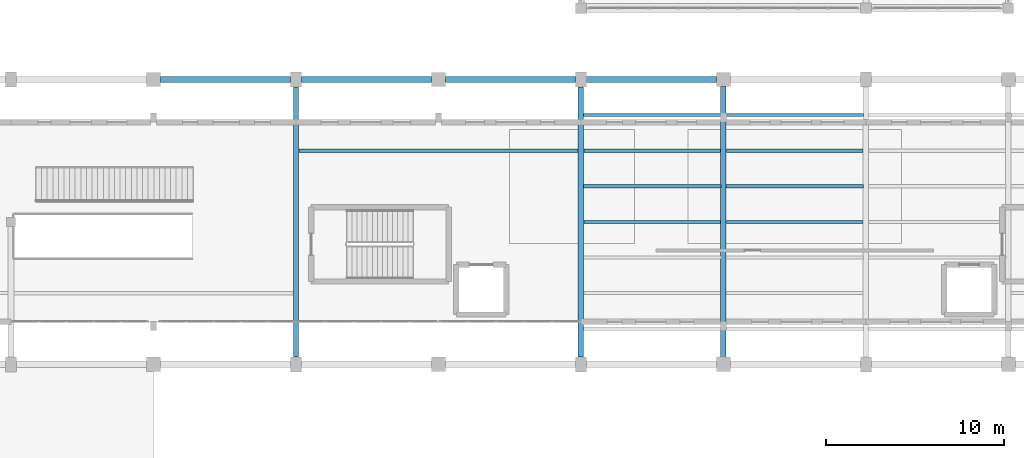
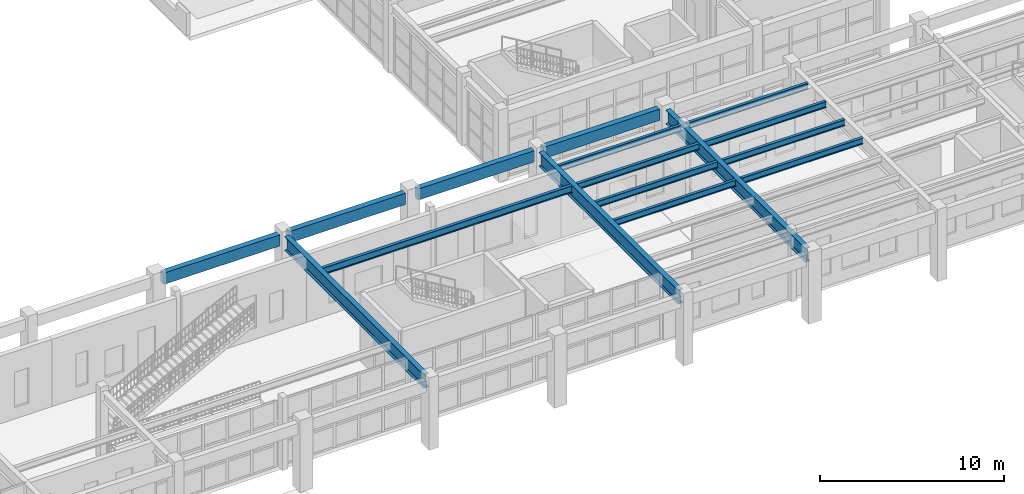
# One storey, part 18 of 59: 16 beams.
"""IFC4 building model written with IfcOpenShell, lengths in metres."""

from ifc_helpers import new_model, si_unit, direction, frame, origin, origin_2d, place, context, subcontext, project, spatial, rectangle, i_section, extrude, material, material_profile, profile_set, type_object, element, save


model = new_model("IFC4")

# Units and contexts
model_context = context("Model", 3, precision=1e-05, world=origin(), true_north=direction((0.0, 1.0)))
body_context = subcontext(model_context, "Body", "Model", "MODEL_VIEW")
ifc_project = project(units=[si_unit("LENGTHUNIT", "METRE"), si_unit("AREAUNIT", "SQUARE_METRE"), si_unit("VOLUMEUNIT", "CUBIC_METRE"), si_unit("PLANEANGLEUNIT", "RADIAN"), si_unit("MASSUNIT", "GRAM", prefix="KILO")], contexts=[model_context])

# Site, building, storey
site_placement = place(None, origin())
site = spatial("IfcSite", under=ifc_project, at=site_placement, CompositionType="ELEMENT")
building_placement = place(site_placement, origin())
building = spatial("IfcBuilding", under=site, at=building_placement, Name="Serraluz Foothill Cableway Terminal", CompositionType="ELEMENT")
storey_placement = place(building_placement, frame((0.0, 0.0, 4.800048828125)))
storey = spatial("IfcBuildingStorey", under=building, at=storey_placement, Name="L01", CompositionType="ELEMENT", Elevation=4.800048828125)

# Beams
ifc_material_1 = material(Name="Steel ASTM A992 Grade 50", Category="steel")
ifc_material_profile_1 = material_profile(ifc_material_1, i_section(OverallWidth=0.30810546875, OverallDepth=0.927001953125, WebThickness=0.019287109375, FlangeThickness=0.031982421875, FilletRadius=0.02587890625, at=origin_2d()), Name="W36X194")
ifc_profile_set_1 = profile_set([ifc_material_profile_1], Name="Steel ASTM A992 Grade 50")
beam_type_1 = type_object("IfcBeamType", Name="TYP-BM-W36X194", PredefinedType="BEAM", material=ifc_profile_set_1)
for number, where, z_axis, x_axis, name in (
    (1, (64.0, 56.4208984375, 4.011474609375), (0.0, 1.0, 0.0), (-1.0, 0.0, 0.0), "Transverse Girder BM-Y-L01-0258"),
    (2, (80.0, 56.4208984375, 4.011474609375), (0.0, 1.0, 0.0), (-1.0, 0.0, 0.0), "Transverse Girder BM-Y-L01-0259"),
):
    element("IfcBeam", number, at=place(storey_placement, frame(where, z_axis=z_axis, x_axis=x_axis)), inside=storey, type_object=beam_type_1, Name=name, PredefinedType="BEAM", context=body_context, shape_type="SweptSolid", body=[
        extrude(i_section(OverallWidth=0.30810546875, OverallDepth=0.927001953125, WebThickness=0.019287109375, FlangeThickness=0.031982421875, FilletRadius=0.02587890625, at=origin_2d()), origin(), (0.0, 0.0, 1.0), 15.158203125),
    ])
beam_1_placement = place(storey_placement, frame((88.0, 56.39599609375, 4.011474609375), z_axis=(0.0, 1.0, 0.0), x_axis=(-1.0, 0.0, 0.0)))
element("IfcBeam", 3, at=beam_1_placement, inside=storey, type_object=beam_type_1, Name="Transverse Girder BM-Y-L01-0263", PredefinedType="BEAM", context=body_context, shape_type="SweptSolid", body=[
    extrude(i_section(OverallWidth=0.30810546875, OverallDepth=0.927001953125, WebThickness=0.019287109375, FlangeThickness=0.031982421875, FilletRadius=0.02587890625, at=origin_2d()), origin(), (0.0, 0.0, 1.0), 15.2080078125),
])
ifc_material_profile_2 = material_profile(ifc_material_1, i_section(OverallWidth=0.180908203125, OverallDepth=0.4169921875, WebThickness=0.010986328125, FlangeThickness=0.018310546875, FilletRadius=0.013916015625, at=origin_2d()), Name="W16X57")
ifc_profile_set_2 = profile_set([ifc_material_profile_2], Name="Steel ASTM A992 Grade 50")
beam_type_2 = type_object("IfcBeamType", Name="TYP-JS-W16X57", PredefinedType="JOIST", material=ifc_profile_set_2)
for number, where, z_axis, x_axis, name in (
    (4, (80.158935546875, 64.0, 4.266357421875), (1.0, 0.0, 0.0), (0.0, 1.0, 0.0), "Secondary Floor Joist JS-L01-0086"),
    (5, (80.158935546875, 68.0, 4.266357421875), (1.0, 0.0, 0.0), (0.0, 1.0, 0.0), "Secondary Floor Joist JS-L01-0087"),
    (6, (88.158935546875, 64.0, 4.266357421875), (1.0, 0.0, 0.0), (0.0, 1.0, 0.0), "Secondary Floor Joist JS-L01-0091"),
    (7, (88.158935546875, 68.0, 4.266357421875), (1.0, 0.0, 0.0), (0.0, 1.0, 0.0), "Secondary Floor Joist JS-L01-0092"),
):
    element("IfcBeam", number, at=place(storey_placement, frame(where, z_axis=z_axis, x_axis=x_axis)), inside=storey, type_object=beam_type_2, Name=name, PredefinedType="JOIST", context=body_context, shape_type="SweptSolid", body=[
        extrude(i_section(OverallWidth=0.180908203125, OverallDepth=0.4169921875, WebThickness=0.010986328125, FlangeThickness=0.018310546875, FilletRadius=0.013916015625, at=origin_2d()), origin(), (0.0, 0.0, 1.0), 7.68212890625),
    ])
for number, where, z_axis, x_axis, name in (
    (8, (80.139892578125, 66.0, 4.266357421875), (1.0, 0.0, 0.0), (0.0, 1.0, 0.0), "Composite Deck Joist L01-037"),
    (9, (80.139892578125, 70.0, 4.266357421875), (1.0, 0.0, 0.0), (0.0, 1.0, 0.0), "Composite Deck Joist L01-038"),
    (10, (88.139892578125, 66.0, 4.266357421875), (1.0, 0.0, 0.0), (0.0, 1.0, 0.0), "Composite Deck Joist L01-041"),
    (11, (88.139892578125, 70.0, 4.266357421875), (1.0, 0.0, 0.0), (0.0, 1.0, 0.0), "Composite Deck Joist L01-042"),
):
    element("IfcBeam", number, at=place(storey_placement, frame(where, z_axis=z_axis, x_axis=x_axis)), inside=storey, type_object=beam_type_2, Name=name, PredefinedType="JOIST", context=body_context, shape_type="SweptSolid", body=[
        extrude(i_section(OverallWidth=0.180908203125, OverallDepth=0.4169921875, WebThickness=0.010986328125, FlangeThickness=0.018310546875, FilletRadius=0.013916015625, at=origin_2d()), origin(), (0.0, 0.0, 1.0), 7.72021484375),
    ])
ifc_material_profile_3 = material_profile(ifc_material_1, i_section(OverallWidth=0.193115234375, OverallDepth=0.467041015625, WebThickness=0.011474609375, FlangeThickness=0.01904296875, FilletRadius=0.014892578125, at=origin_2d()), Name="W18X65")
ifc_profile_set_3 = profile_set([ifc_material_profile_3], Name="Steel ASTM A992 Grade 50")
beam_type_3 = type_object("IfcBeamType", Name="TYP-JS-W18X65", PredefinedType="JOIST", material=ifc_profile_set_3)
beam_2_placement = place(storey_placement, frame((64.158935546875, 68.0, 4.241455078125), z_axis=(1.0, 0.0, 0.0), x_axis=(0.0, 1.0, 0.0)))
element("IfcBeam", 12, at=beam_2_placement, inside=storey, type_object=beam_type_3, Name="Secondary Floor Joist JS-L01-0084", PredefinedType="JOIST", context=body_context, shape_type="SweptSolid", body=[
    extrude(i_section(OverallWidth=0.193115234375, OverallDepth=0.467041015625, WebThickness=0.011474609375, FlangeThickness=0.01904296875, FilletRadius=0.014892578125, at=origin_2d()), origin(), (0.0, 0.0, 1.0), 15.68212890625),
])
ifc_material_2 = material(Name="Precast concrete C40/50", Category="concrete")
ifc_material_profile_4 = material_profile(ifc_material_2, rectangle(XDim=0.35009765625, YDim=0.75, at=origin_2d()), Name="RC SP 350x750")
ifc_profile_set_4 = profile_set([ifc_material_profile_4], Name="Precast concrete C40/50")
beam_type_4 = type_object("IfcBeamType", Name="TYP-SP-RC350X750", PredefinedType="SPANDREL", material=ifc_profile_set_4)
for number, where, z_axis, x_axis, name in (
    (13, (56.39599609375, 72.0, 4.099853515625), (1.0, 0.0, 0.0), (0.0, 1.0, 0.0), "Primary Girder BM-X-L01-0221"),
    (14, (64.2958984375, 72.0, 4.099853515625), (1.0, 0.0, 0.0), (0.0, 1.0, 0.0), "Primary Girder BM-X-L01-0222"),
    (15, (72.39599609375, 72.0, 4.099853515625), (1.0, 0.0, 0.0), (0.0, 1.0, 0.0), "Primary Girder BM-X-L01-0223"),
    (16, (80.2958984375, 72.0, 4.099853515625), (1.0, 0.0, 0.0), (0.0, 1.0, 0.0), "Primary Girder BM-X-L01-0224"),
):
    element("IfcBeam", number, at=place(storey_placement, frame(where, z_axis=z_axis, x_axis=x_axis)), inside=storey, type_object=beam_type_4, Name=name, PredefinedType="SPANDREL", context=body_context, shape_type="SweptSolid", body=[
        extrude(rectangle(XDim=0.35009765625, YDim=0.75, at=origin_2d()), origin(), (0.0, 0.0, 1.0), 7.30810546875),
    ])

save(model, "model.ifc")
